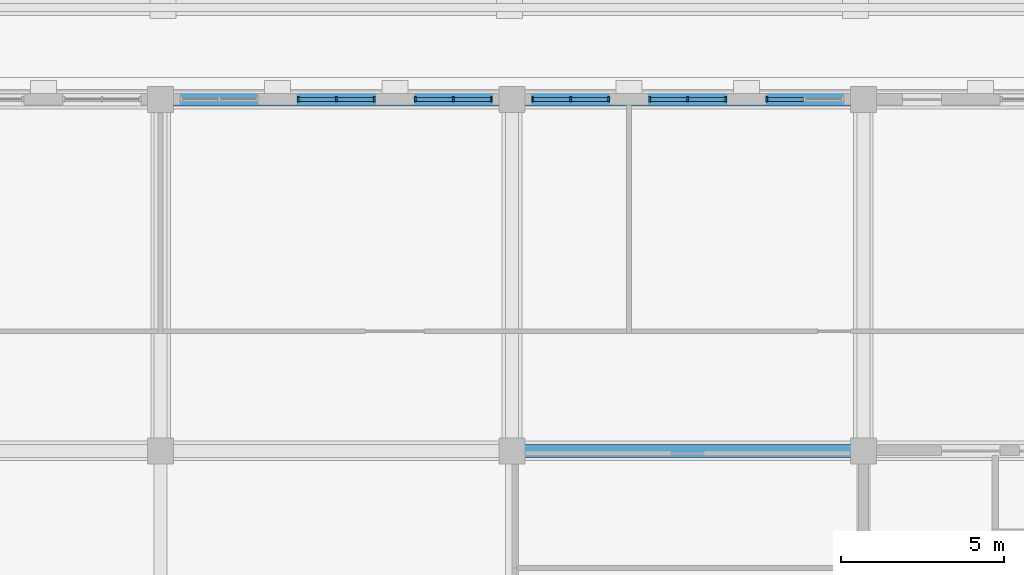
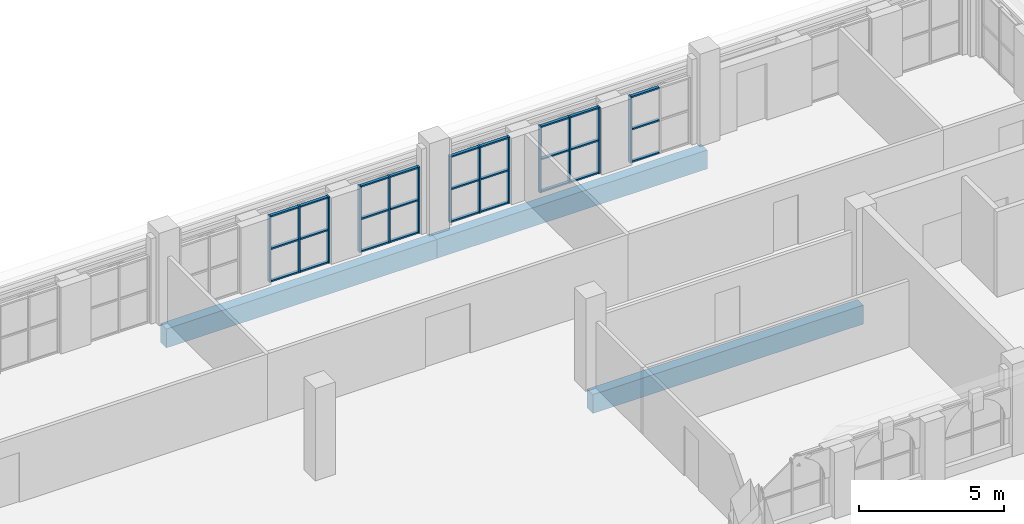
# One storey, part 32 of 95: 40 members, 3 beams, 5 elements without a shape of their own.
"""IFC4 building model written with IfcOpenShell, lengths in metres."""

from ifc_helpers import new_model, si_unit, direction, frame, origin, origin_2d, place, context, subcontext, project, spatial, rectangle, extrude, material, layer, layer_set, material_profile, profile_set, type_object, element, aggregate, save


model = new_model("IFC4")

# Units and contexts
model_context = context("Model", 3, precision=1e-05, world=origin(), true_north=direction((0.0, 1.0)))
body_context = subcontext(model_context, "Body", "Model", "MODEL_VIEW")
ifc_project = project(units=[si_unit("LENGTHUNIT", "METRE"), si_unit("AREAUNIT", "SQUARE_METRE"), si_unit("VOLUMEUNIT", "CUBIC_METRE"), si_unit("PLANEANGLEUNIT", "RADIAN"), si_unit("MASSUNIT", "GRAM", prefix="KILO")], contexts=[model_context])

# Site, building, storey
site_placement = place(None, origin())
site = spatial("IfcSite", under=ifc_project, at=site_placement, CompositionType="ELEMENT")
building_placement = place(site_placement, origin())
building = spatial("IfcBuilding", under=site, at=building_placement, Name="Magnolia Steps Interchange", CompositionType="ELEMENT")
storey_placement = place(building_placement, frame((0.0, 0.0, 4.800048828125)))
storey = spatial("IfcBuildingStorey", under=building, at=storey_placement, Name="L01", CompositionType="ELEMENT", Elevation=4.800048828125)

# Curtain wall, members
ifc_material_1 = material(Name="Powder-coated aluminium and glass", Category="aluminium")
ifc_layer = layer(ifc_material_1, 0.179931640625)
ifc_layer_set = layer_set([ifc_layer], Name="Lobby shopfront curtain wall")
curtain_wall_type = type_object("IfcCurtainWallType", Name="Lobby shopfront curtain wall", PredefinedType="NOTDEFINED", material=ifc_layer_set)
curtain_wall_1_placement = place(storey_placement, origin())
curtain_wall_1 = element("IfcCurtainWall", 1, at=curtain_wall_1_placement, inside=storey, type_object=curtain_wall_type, Name="Operations lobby north glazing 14", PredefinedType="NOTDEFINED")
ifc_material_2 = material(Name="White powder-coated aluminium", Category="aluminium")
ifc_material_profile_1 = material_profile(ifc_material_2, rectangle(XDim=0.06005859375, YDim=0.14990234375, at=origin_2d()), Name="Aluminium mullion 60 x 150")
ifc_profile_set_1 = profile_set([ifc_material_profile_1], Name="White powder-coated aluminium")
member_type_1 = type_object("IfcMemberType", Name="Aluminium mullion 60 x 150", PredefinedType="MULLION", material=ifc_profile_set_1)
member_1_placement = place(storey_placement, frame((89.830078125, 118.0, 0.0), z_axis=(0.0, 0.0, 1.0), x_axis=(1.0, 0.0, 0.0)))
member_1 = element("IfcMember", 2, at=member_1_placement, type_object=member_type_1, Name="CW5 mullion 1", PredefinedType="MULLION", context=body_context, shape_type="SweptSolid", body=[
    extrude(rectangle(XDim=0.06005859375, YDim=0.14990234375, at=origin_2d()), origin(), (0.0, 0.0, 1.0), 2.800048828125),
])
member_2_placement = place(storey_placement, frame((91.0, 118.0, 0.0), z_axis=(0.0, 0.0, 1.0), x_axis=(1.0, 0.0, 0.0)))
member_2 = element("IfcMember", 3, at=member_2_placement, type_object=member_type_1, Name="CW5 mullion 2", PredefinedType="MULLION", context=body_context, shape_type="SweptSolid", body=[
    extrude(rectangle(XDim=0.06005859375, YDim=0.14990234375, at=origin_2d()), origin(), (0.0, 0.0, 1.0), 2.800048828125),
])
member_3_placement = place(storey_placement, frame((92.169921875, 118.0, 0.0), z_axis=(0.0, 0.0, 1.0), x_axis=(1.0, 0.0, 0.0)))
member_3 = element("IfcMember", 4, at=member_3_placement, type_object=member_type_1, Name="CW5 mullion 3", PredefinedType="MULLION", context=body_context, shape_type="SweptSolid", body=[
    extrude(rectangle(XDim=0.06005859375, YDim=0.14990234375, at=origin_2d()), origin(), (0.0, 0.0, 1.0), 2.800048828125),
])

curtain_wall_2_placement = place(storey_placement, origin())
curtain_wall_2 = element("IfcCurtainWall", 5, at=curtain_wall_2_placement, inside=storey, type_object=curtain_wall_type, Name="Operations lobby north glazing 16", PredefinedType="NOTDEFINED")
member_4_placement = place(storey_placement, frame((93.429931640625, 118.0, 0.0), z_axis=(0.0, 0.0, 1.0), x_axis=(1.0, 0.0, 0.0)))
member_4 = element("IfcMember", 6, at=member_4_placement, type_object=member_type_1, Name="CW5 mullion 1", PredefinedType="MULLION", context=body_context, shape_type="SweptSolid", body=[
    extrude(rectangle(XDim=0.06005859375, YDim=0.14990234375, at=origin_2d()), origin(), (0.0, 0.0, 1.0), 2.800048828125),
])
member_5_placement = place(storey_placement, frame((94.60009765625, 118.0, 0.0), z_axis=(0.0, 0.0, 1.0), x_axis=(1.0, 0.0, 0.0)))
member_5 = element("IfcMember", 7, at=member_5_placement, type_object=member_type_1, Name="CW5 mullion 2", PredefinedType="MULLION", context=body_context, shape_type="SweptSolid", body=[
    extrude(rectangle(XDim=0.06005859375, YDim=0.14990234375, at=origin_2d()), origin(), (0.0, 0.0, 1.0), 2.800048828125),
])
member_6_placement = place(storey_placement, frame((95.77001953125, 118.0, 0.0), z_axis=(0.0, 0.0, 1.0), x_axis=(1.0, 0.0, 0.0)))
member_6 = element("IfcMember", 8, at=member_6_placement, type_object=member_type_1, Name="CW5 mullion 3", PredefinedType="MULLION", context=body_context, shape_type="SweptSolid", body=[
    extrude(rectangle(XDim=0.06005859375, YDim=0.14990234375, at=origin_2d()), origin(), (0.0, 0.0, 1.0), 2.800048828125),
])

curtain_wall_3_placement = place(storey_placement, origin())
curtain_wall_3 = element("IfcCurtainWall", 9, at=curtain_wall_3_placement, inside=storey, type_object=curtain_wall_type, Name="Operations lobby north glazing 18", PredefinedType="NOTDEFINED")
member_7_placement = place(storey_placement, frame((97.030029296875, 118.0, 0.0), z_axis=(0.0, 0.0, 1.0), x_axis=(1.0, 0.0, 0.0)))
member_7 = element("IfcMember", 10, at=member_7_placement, type_object=member_type_1, Name="CW5 mullion 1", PredefinedType="MULLION", context=body_context, shape_type="SweptSolid", body=[
    extrude(rectangle(XDim=0.06005859375, YDim=0.14990234375, at=origin_2d()), origin(), (0.0, 0.0, 1.0), 2.800048828125),
])
member_8_placement = place(storey_placement, frame((98.199951171875, 118.0, 0.0), z_axis=(0.0, 0.0, 1.0), x_axis=(1.0, 0.0, 0.0)))
member_8 = element("IfcMember", 11, at=member_8_placement, type_object=member_type_1, Name="CW5 mullion 2", PredefinedType="MULLION", context=body_context, shape_type="SweptSolid", body=[
    extrude(rectangle(XDim=0.06005859375, YDim=0.14990234375, at=origin_2d()), origin(), (0.0, 0.0, 1.0), 2.800048828125),
])
member_9_placement = place(storey_placement, frame((99.3701171875, 118.0, 0.0), z_axis=(0.0, 0.0, 1.0), x_axis=(1.0, 0.0, 0.0)))
member_9 = element("IfcMember", 12, at=member_9_placement, type_object=member_type_1, Name="CW5 mullion 3", PredefinedType="MULLION", context=body_context, shape_type="SweptSolid", body=[
    extrude(rectangle(XDim=0.06005859375, YDim=0.14990234375, at=origin_2d()), origin(), (0.0, 0.0, 1.0), 2.800048828125),
])

curtain_wall_4_placement = place(storey_placement, origin())
curtain_wall_4 = element("IfcCurtainWall", 13, at=curtain_wall_4_placement, inside=storey, type_object=curtain_wall_type, Name="Operations lobby north glazing 20", PredefinedType="NOTDEFINED")
member_10_placement = place(storey_placement, frame((100.6298828125, 118.0, 0.0), z_axis=(0.0, 0.0, 1.0), x_axis=(1.0, 0.0, 0.0)))
member_10 = element("IfcMember", 14, at=member_10_placement, type_object=member_type_1, Name="CW5 mullion 1", PredefinedType="MULLION", context=body_context, shape_type="SweptSolid", body=[
    extrude(rectangle(XDim=0.06005859375, YDim=0.14990234375, at=origin_2d()), origin(), (0.0, 0.0, 1.0), 2.800048828125),
])
member_11_placement = place(storey_placement, frame((101.800048828125, 118.0, 0.0), z_axis=(0.0, 0.0, 1.0), x_axis=(1.0, 0.0, 0.0)))
member_11 = element("IfcMember", 15, at=member_11_placement, type_object=member_type_1, Name="CW5 mullion 2", PredefinedType="MULLION", context=body_context, shape_type="SweptSolid", body=[
    extrude(rectangle(XDim=0.06005859375, YDim=0.14990234375, at=origin_2d()), origin(), (0.0, 0.0, 1.0), 2.800048828125),
])
member_12_placement = place(storey_placement, frame((102.969970703125, 118.0, 0.0), z_axis=(0.0, 0.0, 1.0), x_axis=(1.0, 0.0, 0.0)))
member_12 = element("IfcMember", 16, at=member_12_placement, type_object=member_type_1, Name="CW5 mullion 3", PredefinedType="MULLION", context=body_context, shape_type="SweptSolid", body=[
    extrude(rectangle(XDim=0.06005859375, YDim=0.14990234375, at=origin_2d()), origin(), (0.0, 0.0, 1.0), 2.800048828125),
])

# Curtain wall, member
curtain_wall_5_placement = place(storey_placement, origin())
curtain_wall_5 = element("IfcCurtainWall", 17, at=curtain_wall_5_placement, inside=storey, type_object=curtain_wall_type, Name="Operations lobby north glazing 22", PredefinedType="NOTDEFINED")
member_13_placement = place(storey_placement, frame((104.22998046875, 118.0, 0.0), z_axis=(0.0, 0.0, 1.0), x_axis=(1.0, 0.0, 0.0)))
member_13 = element("IfcMember", 18, at=member_13_placement, type_object=member_type_1, Name="CW5 mullion 1", PredefinedType="MULLION", context=body_context, shape_type="SweptSolid", body=[
    extrude(rectangle(XDim=0.06005859375, YDim=0.14990234375, at=origin_2d()), origin(), (0.0, 0.0, 1.0), 2.800048828125),
])

# Member
ifc_material_3 = material(Name="White powder-coated aluminium", Category="aluminium")
ifc_material_profile_2 = material_profile(ifc_material_3, rectangle(XDim=0.06005859375, YDim=0.1201171875, at=origin_2d()), Name="Aluminium transom 60 x 120")
ifc_profile_set_2 = profile_set([ifc_material_profile_2], Name="White powder-coated aluminium")
member_type_2 = type_object("IfcMemberType", Name="Aluminium transom 60 x 120", PredefinedType="USERDEFINED", material=ifc_profile_set_2)
member_14_placement = place(storey_placement, frame((89.860107421875, 118.0, 0.030029296875), z_axis=(1.0, 0.0, 0.0), x_axis=(0.0, 0.0, 1.0)))
member_14 = element("IfcMember", 19, at=member_14_placement, type_object=member_type_2, Name="CW5 transom 1.1", ObjectType="TRANSOM", PredefinedType="USERDEFINED", context=body_context, shape_type="SweptSolid", body=[
    extrude(rectangle(XDim=0.06005859375, YDim=0.1201171875, at=origin_2d()), origin(), (0.0, 0.0, 1.0), 1.10986328125),
])

member_15_placement = place(storey_placement, frame((89.860107421875, 118.0, 1.39990234375), z_axis=(1.0, 0.0, 0.0), x_axis=(0.0, 0.0, 1.0)))
member_15 = element("IfcMember", 20, at=member_15_placement, type_object=member_type_2, Name="CW5 transom 1.2", ObjectType="TRANSOM", PredefinedType="USERDEFINED", context=body_context, shape_type="SweptSolid", body=[
    extrude(rectangle(XDim=0.06005859375, YDim=0.1201171875, at=origin_2d()), origin(), (0.0, 0.0, 1.0), 1.10986328125),
])

member_16_placement = place(storey_placement, frame((89.860107421875, 118.0, 2.77001953125), z_axis=(1.0, 0.0, 0.0), x_axis=(0.0, 0.0, 1.0)))
member_16 = element("IfcMember", 21, at=member_16_placement, type_object=member_type_2, Name="CW5 transom 1.3", ObjectType="TRANSOM", PredefinedType="USERDEFINED", context=body_context, shape_type="SweptSolid", body=[
    extrude(rectangle(XDim=0.06005859375, YDim=0.1201171875, at=origin_2d()), origin(), (0.0, 0.0, 1.0), 1.10986328125),
])

member_17_placement = place(storey_placement, frame((91.030029296875, 118.0, 0.030029296875), z_axis=(1.0, 0.0, 0.0), x_axis=(0.0, 0.0, 1.0)))
member_17 = element("IfcMember", 22, at=member_17_placement, type_object=member_type_2, Name="CW5 transom 2.1", ObjectType="TRANSOM", PredefinedType="USERDEFINED", context=body_context, shape_type="SweptSolid", body=[
    extrude(rectangle(XDim=0.06005859375, YDim=0.1201171875, at=origin_2d()), origin(), (0.0, 0.0, 1.0), 1.10986328125),
])

member_18_placement = place(storey_placement, frame((91.030029296875, 118.0, 1.39990234375), z_axis=(1.0, 0.0, 0.0), x_axis=(0.0, 0.0, 1.0)))
member_18 = element("IfcMember", 23, at=member_18_placement, type_object=member_type_2, Name="CW5 transom 2.2", ObjectType="TRANSOM", PredefinedType="USERDEFINED", context=body_context, shape_type="SweptSolid", body=[
    extrude(rectangle(XDim=0.06005859375, YDim=0.1201171875, at=origin_2d()), origin(), (0.0, 0.0, 1.0), 1.10986328125),
])

member_19_placement = place(storey_placement, frame((91.030029296875, 118.0, 2.77001953125), z_axis=(1.0, 0.0, 0.0), x_axis=(0.0, 0.0, 1.0)))
member_19 = element("IfcMember", 24, at=member_19_placement, type_object=member_type_2, Name="CW5 transom 2.3", ObjectType="TRANSOM", PredefinedType="USERDEFINED", context=body_context, shape_type="SweptSolid", body=[
    extrude(rectangle(XDim=0.06005859375, YDim=0.1201171875, at=origin_2d()), origin(), (0.0, 0.0, 1.0), 1.10986328125),
])

aggregate(curtain_wall_1, [member_1, member_2, member_3, member_14, member_15, member_16, member_17, member_18, member_19])

member_20_placement = place(storey_placement, frame((93.4599609375, 118.0, 0.030029296875), z_axis=(1.0, 0.0, 0.0), x_axis=(0.0, 0.0, 1.0)))
member_20 = element("IfcMember", 25, at=member_20_placement, type_object=member_type_2, Name="CW5 transom 1.1", ObjectType="TRANSOM", PredefinedType="USERDEFINED", context=body_context, shape_type="SweptSolid", body=[
    extrude(rectangle(XDim=0.06005859375, YDim=0.1201171875, at=origin_2d()), origin(), (0.0, 0.0, 1.0), 1.110107421875),
])

member_21_placement = place(storey_placement, frame((93.4599609375, 118.0, 1.39990234375), z_axis=(1.0, 0.0, 0.0), x_axis=(0.0, 0.0, 1.0)))
member_21 = element("IfcMember", 26, at=member_21_placement, type_object=member_type_2, Name="CW5 transom 1.2", ObjectType="TRANSOM", PredefinedType="USERDEFINED", context=body_context, shape_type="SweptSolid", body=[
    extrude(rectangle(XDim=0.06005859375, YDim=0.1201171875, at=origin_2d()), origin(), (0.0, 0.0, 1.0), 1.110107421875),
])

member_22_placement = place(storey_placement, frame((93.4599609375, 118.0, 2.77001953125), z_axis=(1.0, 0.0, 0.0), x_axis=(0.0, 0.0, 1.0)))
member_22 = element("IfcMember", 27, at=member_22_placement, type_object=member_type_2, Name="CW5 transom 1.3", ObjectType="TRANSOM", PredefinedType="USERDEFINED", context=body_context, shape_type="SweptSolid", body=[
    extrude(rectangle(XDim=0.06005859375, YDim=0.1201171875, at=origin_2d()), origin(), (0.0, 0.0, 1.0), 1.110107421875),
])

member_23_placement = place(storey_placement, frame((94.6298828125, 118.0, 0.030029296875), z_axis=(1.0, 0.0, 0.0), x_axis=(0.0, 0.0, 1.0)))
member_23 = element("IfcMember", 28, at=member_23_placement, type_object=member_type_2, Name="CW5 transom 2.1", ObjectType="TRANSOM", PredefinedType="USERDEFINED", context=body_context, shape_type="SweptSolid", body=[
    extrude(rectangle(XDim=0.06005859375, YDim=0.1201171875, at=origin_2d()), origin(), (0.0, 0.0, 1.0), 1.110107421875),
])

member_24_placement = place(storey_placement, frame((94.6298828125, 118.0, 1.39990234375), z_axis=(1.0, 0.0, 0.0), x_axis=(0.0, 0.0, 1.0)))
member_24 = element("IfcMember", 29, at=member_24_placement, type_object=member_type_2, Name="CW5 transom 2.2", ObjectType="TRANSOM", PredefinedType="USERDEFINED", context=body_context, shape_type="SweptSolid", body=[
    extrude(rectangle(XDim=0.06005859375, YDim=0.1201171875, at=origin_2d()), origin(), (0.0, 0.0, 1.0), 1.110107421875),
])

member_25_placement = place(storey_placement, frame((94.6298828125, 118.0, 2.77001953125), z_axis=(1.0, 0.0, 0.0), x_axis=(0.0, 0.0, 1.0)))
member_25 = element("IfcMember", 30, at=member_25_placement, type_object=member_type_2, Name="CW5 transom 2.3", ObjectType="TRANSOM", PredefinedType="USERDEFINED", context=body_context, shape_type="SweptSolid", body=[
    extrude(rectangle(XDim=0.06005859375, YDim=0.1201171875, at=origin_2d()), origin(), (0.0, 0.0, 1.0), 1.110107421875),
])

aggregate(curtain_wall_2, [member_4, member_5, member_6, member_20, member_21, member_22, member_23, member_24, member_25])

member_26_placement = place(storey_placement, frame((97.06005859375, 118.0, 0.030029296875), z_axis=(1.0, 0.0, 0.0), x_axis=(0.0, 0.0, 1.0)))
member_26 = element("IfcMember", 31, at=member_26_placement, type_object=member_type_2, Name="CW5 transom 1.1", ObjectType="TRANSOM", PredefinedType="USERDEFINED", context=body_context, shape_type="SweptSolid", body=[
    extrude(rectangle(XDim=0.06005859375, YDim=0.1201171875, at=origin_2d()), origin(), (0.0, 0.0, 1.0), 1.10986328125),
])

member_27_placement = place(storey_placement, frame((97.06005859375, 118.0, 1.39990234375), z_axis=(1.0, 0.0, 0.0), x_axis=(0.0, 0.0, 1.0)))
member_27 = element("IfcMember", 32, at=member_27_placement, type_object=member_type_2, Name="CW5 transom 1.2", ObjectType="TRANSOM", PredefinedType="USERDEFINED", context=body_context, shape_type="SweptSolid", body=[
    extrude(rectangle(XDim=0.06005859375, YDim=0.1201171875, at=origin_2d()), origin(), (0.0, 0.0, 1.0), 1.10986328125),
])

member_28_placement = place(storey_placement, frame((97.06005859375, 118.0, 2.77001953125), z_axis=(1.0, 0.0, 0.0), x_axis=(0.0, 0.0, 1.0)))
member_28 = element("IfcMember", 33, at=member_28_placement, type_object=member_type_2, Name="CW5 transom 1.3", ObjectType="TRANSOM", PredefinedType="USERDEFINED", context=body_context, shape_type="SweptSolid", body=[
    extrude(rectangle(XDim=0.06005859375, YDim=0.1201171875, at=origin_2d()), origin(), (0.0, 0.0, 1.0), 1.10986328125),
])

member_29_placement = place(storey_placement, frame((98.22998046875, 118.0, 0.030029296875), z_axis=(1.0, 0.0, 0.0), x_axis=(0.0, 0.0, 1.0)))
member_29 = element("IfcMember", 34, at=member_29_placement, type_object=member_type_2, Name="CW5 transom 2.1", ObjectType="TRANSOM", PredefinedType="USERDEFINED", context=body_context, shape_type="SweptSolid", body=[
    extrude(rectangle(XDim=0.06005859375, YDim=0.1201171875, at=origin_2d()), origin(), (0.0, 0.0, 1.0), 1.110107421875),
])

member_30_placement = place(storey_placement, frame((98.22998046875, 118.0, 1.39990234375), z_axis=(1.0, 0.0, 0.0), x_axis=(0.0, 0.0, 1.0)))
member_30 = element("IfcMember", 35, at=member_30_placement, type_object=member_type_2, Name="CW5 transom 2.2", ObjectType="TRANSOM", PredefinedType="USERDEFINED", context=body_context, shape_type="SweptSolid", body=[
    extrude(rectangle(XDim=0.06005859375, YDim=0.1201171875, at=origin_2d()), origin(), (0.0, 0.0, 1.0), 1.110107421875),
])

member_31_placement = place(storey_placement, frame((98.22998046875, 118.0, 2.77001953125), z_axis=(1.0, 0.0, 0.0), x_axis=(0.0, 0.0, 1.0)))
member_31 = element("IfcMember", 36, at=member_31_placement, type_object=member_type_2, Name="CW5 transom 2.3", ObjectType="TRANSOM", PredefinedType="USERDEFINED", context=body_context, shape_type="SweptSolid", body=[
    extrude(rectangle(XDim=0.06005859375, YDim=0.1201171875, at=origin_2d()), origin(), (0.0, 0.0, 1.0), 1.110107421875),
])

aggregate(curtain_wall_3, [member_7, member_8, member_9, member_26, member_27, member_28, member_29, member_30, member_31])

member_32_placement = place(storey_placement, frame((100.659912109375, 118.0, 0.030029296875), z_axis=(1.0, 0.0, 0.0), x_axis=(0.0, 0.0, 1.0)))
member_32 = element("IfcMember", 37, at=member_32_placement, type_object=member_type_2, Name="CW5 transom 1.1", ObjectType="TRANSOM", PredefinedType="USERDEFINED", context=body_context, shape_type="SweptSolid", body=[
    extrude(rectangle(XDim=0.06005859375, YDim=0.1201171875, at=origin_2d()), origin(), (0.0, 0.0, 1.0), 1.110107421875),
])

member_33_placement = place(storey_placement, frame((100.659912109375, 118.0, 1.39990234375), z_axis=(1.0, 0.0, 0.0), x_axis=(0.0, 0.0, 1.0)))
member_33 = element("IfcMember", 38, at=member_33_placement, type_object=member_type_2, Name="CW5 transom 1.2", ObjectType="TRANSOM", PredefinedType="USERDEFINED", context=body_context, shape_type="SweptSolid", body=[
    extrude(rectangle(XDim=0.06005859375, YDim=0.1201171875, at=origin_2d()), origin(), (0.0, 0.0, 1.0), 1.110107421875),
])

member_34_placement = place(storey_placement, frame((100.659912109375, 118.0, 2.77001953125), z_axis=(1.0, 0.0, 0.0), x_axis=(0.0, 0.0, 1.0)))
member_34 = element("IfcMember", 39, at=member_34_placement, type_object=member_type_2, Name="CW5 transom 1.3", ObjectType="TRANSOM", PredefinedType="USERDEFINED", context=body_context, shape_type="SweptSolid", body=[
    extrude(rectangle(XDim=0.06005859375, YDim=0.1201171875, at=origin_2d()), origin(), (0.0, 0.0, 1.0), 1.110107421875),
])

member_35_placement = place(storey_placement, frame((101.830078125, 118.0, 0.030029296875), z_axis=(1.0, 0.0, 0.0), x_axis=(0.0, 0.0, 1.0)))
member_35 = element("IfcMember", 40, at=member_35_placement, type_object=member_type_2, Name="CW5 transom 2.1", ObjectType="TRANSOM", PredefinedType="USERDEFINED", context=body_context, shape_type="SweptSolid", body=[
    extrude(rectangle(XDim=0.06005859375, YDim=0.1201171875, at=origin_2d()), origin(), (0.0, 0.0, 1.0), 1.10986328125),
])

member_36_placement = place(storey_placement, frame((101.830078125, 118.0, 1.39990234375), z_axis=(1.0, 0.0, 0.0), x_axis=(0.0, 0.0, 1.0)))
member_36 = element("IfcMember", 41, at=member_36_placement, type_object=member_type_2, Name="CW5 transom 2.2", ObjectType="TRANSOM", PredefinedType="USERDEFINED", context=body_context, shape_type="SweptSolid", body=[
    extrude(rectangle(XDim=0.06005859375, YDim=0.1201171875, at=origin_2d()), origin(), (0.0, 0.0, 1.0), 1.10986328125),
])

member_37_placement = place(storey_placement, frame((101.830078125, 118.0, 2.77001953125), z_axis=(1.0, 0.0, 0.0), x_axis=(0.0, 0.0, 1.0)))
member_37 = element("IfcMember", 42, at=member_37_placement, type_object=member_type_2, Name="CW5 transom 2.3", ObjectType="TRANSOM", PredefinedType="USERDEFINED", context=body_context, shape_type="SweptSolid", body=[
    extrude(rectangle(XDim=0.06005859375, YDim=0.1201171875, at=origin_2d()), origin(), (0.0, 0.0, 1.0), 1.10986328125),
])

aggregate(curtain_wall_4, [member_10, member_11, member_12, member_32, member_33, member_34, member_35, member_36, member_37])

member_38_placement = place(storey_placement, frame((104.260009765625, 118.0, 0.030029296875), z_axis=(1.0, 0.0, 0.0), x_axis=(0.0, 0.0, 1.0)))
member_38 = element("IfcMember", 43, at=member_38_placement, type_object=member_type_2, Name="CW5 transom 1.1", ObjectType="TRANSOM", PredefinedType="USERDEFINED", context=body_context, shape_type="SweptSolid", body=[
    extrude(rectangle(XDim=0.06005859375, YDim=0.1201171875, at=origin_2d()), origin(), (0.0, 0.0, 1.0), 1.110107421875),
])

member_39_placement = place(storey_placement, frame((104.260009765625, 118.0, 1.39990234375), z_axis=(1.0, 0.0, 0.0), x_axis=(0.0, 0.0, 1.0)))
member_39 = element("IfcMember", 44, at=member_39_placement, type_object=member_type_2, Name="CW5 transom 1.2", ObjectType="TRANSOM", PredefinedType="USERDEFINED", context=body_context, shape_type="SweptSolid", body=[
    extrude(rectangle(XDim=0.06005859375, YDim=0.1201171875, at=origin_2d()), origin(), (0.0, 0.0, 1.0), 1.110107421875),
])

member_40_placement = place(storey_placement, frame((104.260009765625, 118.0, 2.77001953125), z_axis=(1.0, 0.0, 0.0), x_axis=(0.0, 0.0, 1.0)))
member_40 = element("IfcMember", 45, at=member_40_placement, type_object=member_type_2, Name="CW5 transom 1.3", ObjectType="TRANSOM", PredefinedType="USERDEFINED", context=body_context, shape_type="SweptSolid", body=[
    extrude(rectangle(XDim=0.06005859375, YDim=0.1201171875, at=origin_2d()), origin(), (0.0, 0.0, 1.0), 1.110107421875),
])

aggregate(curtain_wall_5, [member_13, member_38, member_39, member_40])

# Beams
ifc_material_4 = material(Name="Concrete C40", Category="concrete")
ifc_material_profile_3 = material_profile(ifc_material_4, rectangle(XDim=0.39990234375, YDim=0.800048828125, at=origin_2d()), Name="RC400x800")
ifc_profile_set_3 = profile_set([ifc_material_profile_3], Name="Concrete C40")
beam_type = type_object("IfcBeamType", Name="RC beam 400x800", PredefinedType="BEAM", material=ifc_profile_set_3)
beam_1_placement = place(storey_placement, frame((96.39990234375, 107.199951171875, -0.800048828125), z_axis=(1.0, 0.0, 0.0), x_axis=(0.0, 1.0, 0.0)))
element("IfcBeam", 46, at=beam_1_placement, inside=storey, type_object=beam_type, Name="Beam L01 J 9-10", PredefinedType="BEAM", context=body_context, shape_type="SweptSolid", body=[
    extrude(rectangle(XDim=0.39990234375, YDim=0.800048828125, at=origin_2d()), origin(), (0.0, 0.0, 1.0), 10.800048828125),
])
beam_2_placement = place(storey_placement, frame((85.60009765625, 118.0, -0.800048828125), z_axis=(1.0, 0.0, 0.0), x_axis=(0.0, 1.0, 0.0)))
element("IfcBeam", 47, at=beam_2_placement, inside=storey, type_object=beam_type, Name="Beam L01 K 8-9", PredefinedType="BEAM", context=body_context, shape_type="SweptSolid", body=[
    extrude(rectangle(XDim=0.39990234375, YDim=0.800048828125, at=origin_2d()), origin(), (0.0, 0.0, 1.0), 10.7998046875),
])
beam_3_placement = place(storey_placement, frame((96.39990234375, 118.0, -0.800048828125), z_axis=(1.0, 0.0, 0.0), x_axis=(0.0, 1.0, 0.0)))
element("IfcBeam", 48, at=beam_3_placement, inside=storey, type_object=beam_type, Name="Beam L01 K 9-10", PredefinedType="BEAM", context=body_context, shape_type="SweptSolid", body=[
    extrude(rectangle(XDim=0.39990234375, YDim=0.800048828125, at=origin_2d()), origin(), (0.0, 0.0, 1.0), 10.800048828125),
])

save(model, "model.ifc")
